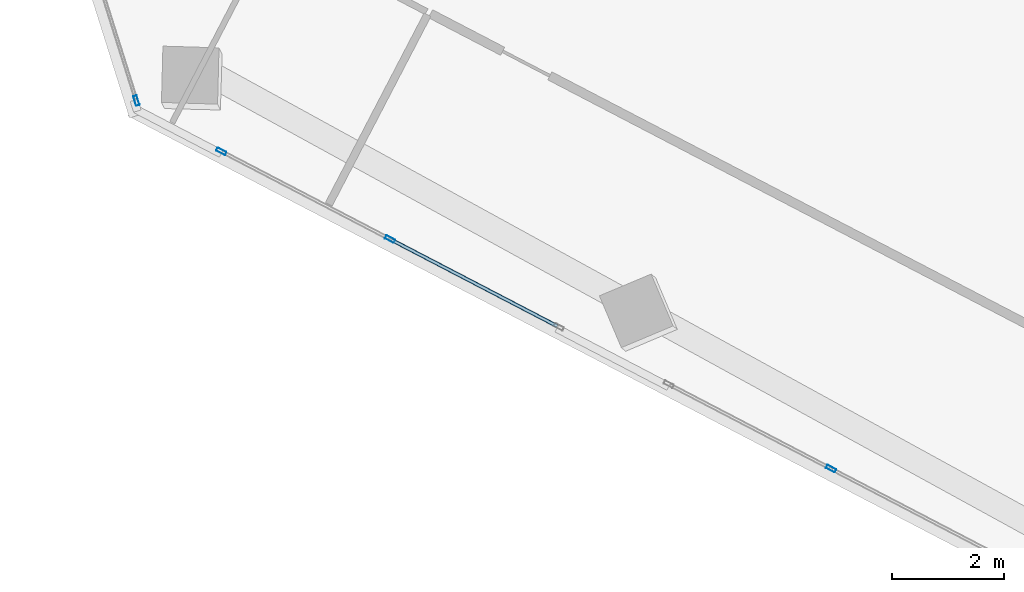
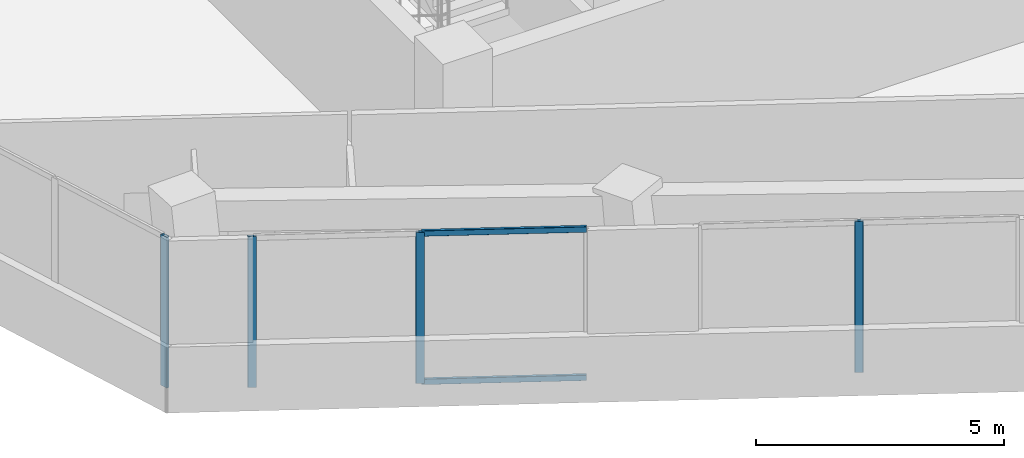
# One storey, part 2 of 22: 6 members, 3 elements without a shape of their own.
"""IFC4 building model written with IfcOpenShell, lengths in metres."""

from ifc_helpers import new_model, si_unit, direction, frame, origin, origin_2d, place, context, subcontext, project, spatial, hollow_rectangle, extrude, source, transform, mapped, material, material_profile, profile_set, type_object, element, aggregate, save


model = new_model("IFC4")

# Units and contexts
model_context = context("Model", 3, precision=1e-05, world=origin(), true_north=direction((0.0, 1.0)))
body_context = subcontext(model_context, "Body", "Model", "MODEL_VIEW")
ifc_project = project(units=[si_unit("LENGTHUNIT", "METRE"), si_unit("AREAUNIT", "SQUARE_METRE"), si_unit("VOLUMEUNIT", "CUBIC_METRE"), si_unit("PLANEANGLEUNIT", "RADIAN"), si_unit("MASSUNIT", "GRAM", prefix="KILO")], contexts=[model_context])

# Site, building, storey
site_placement = place(None, origin())
site = spatial("IfcSite", under=ifc_project, at=site_placement, CompositionType="ELEMENT")
building_placement = place(site_placement, origin())
building = spatial("IfcBuilding", under=site, at=building_placement, Name="Torre Montelarca", CompositionType="ELEMENT")
storey_placement = place(building_placement, frame((0.0, 0.0, 170.800048828125)))
storey = spatial("IfcBuildingStorey", under=building, at=storey_placement, Name="L38", CompositionType="ELEMENT", Elevation=170.800048828125)

# Curtain wall, members
ifc_material_1 = material(Name="Insulated low-E laminated glass", Category="glass")
curtain_wall_type = type_object("IfcCurtainWallType", Name="CW-SYS-Z2", PredefinedType="USERDEFINED", material=ifc_material_1)
curtain_wall_1_placement = place(storey_placement, origin())
curtain_wall_1 = element("IfcCurtainWall", 1, at=curtain_wall_1_placement, inside=storey, type_object=curtain_wall_type, Name="L38 Curtain Wall Run CW-T3-L38-E01-B1", ObjectType="UNITISED GLAZING", PredefinedType="USERDEFINED")
ifc_material_2 = material(Name="Anodised aluminium AA 6063-T6", Category="aluminium")
ifc_material_profile_1 = material_profile(ifc_material_2, hollow_rectangle(XDim=0.06494140625, YDim=0.179931640625, WallThickness=0.00390625, InnerFilletRadius=0.00390625, OuterFilletRadius=0.008056640625, at=origin_2d()), Name="ALU65X180X4", Category="aluminium")
ifc_profile_set_1 = profile_set([ifc_material_profile_1], Name="Anodised aluminium AA 6063-T6")
member_type_1 = type_object("IfcMemberType", Name="CWM-ALU180", PredefinedType="MULLION", material=ifc_profile_set_1)
shared_shape_1 = source(origin(), body_context, "Body", "SweptSolid", [
    extrude(hollow_rectangle(XDim=0.06494140625, YDim=0.179931640625, WallThickness=0.00390625, InnerFilletRadius=0.00390625, OuterFilletRadius=0.008056640625, at=origin_2d()), origin(), (0.0, 0.0, 1.0), 3.719970703125),
])
member_1_placement = place(storey_placement, frame((2.966552734375, 21.27587890625, 0.0), z_axis=(0.0, 0.0, 1.0), x_axis=(0.461740941758, 0.887014826654, 0.0)))
member_1 = element("IfcMember", 2, at=member_1_placement, type_object=member_type_1, Name="CW mullion 1", PredefinedType="MULLION", context=body_context, shape_type="MappedRepresentation", body=[
    mapped(shared_shape_1, transform((0.0, 0.0, 0.0), scale=1.0)),
])
member_2_placement = place(storey_placement, frame((5.97705078125, 19.708984375, 0.0), z_axis=(0.0, 0.0, 1.0), x_axis=(0.461740941758, 0.887014826654, 0.0)))
member_2 = element("IfcMember", 3, at=member_2_placement, type_object=member_type_1, Name="CW mullion 2", PredefinedType="MULLION", context=body_context, shape_type="MappedRepresentation", body=[
    mapped(shared_shape_1, transform((0.0, 0.0, 0.0), scale=1.0)),
])

# Curtain wall, member
curtain_wall_2_placement = place(storey_placement, origin())
curtain_wall_2 = element("IfcCurtainWall", 4, at=curtain_wall_2_placement, inside=storey, type_object=curtain_wall_type, Name="L38 Curtain Wall Run CW-T3-L38-E01-B2", ObjectType="UNITISED GLAZING", PredefinedType="USERDEFINED")
member_3_placement = place(storey_placement, frame((13.843017578125, 15.6142578125, 0.0), z_axis=(0.0, 0.0, 1.0), x_axis=(0.461749348455, 0.887010450446, 0.0)))
member_3 = element("IfcMember", 5, at=member_3_placement, type_object=member_type_1, Name="CW mullion 2", PredefinedType="MULLION", context=body_context, shape_type="MappedRepresentation", body=[
    mapped(shared_shape_1, transform((0.0, 0.0, 0.0), scale=1.0)),
])
aggregate(curtain_wall_2, [member_3])

curtain_wall_3_placement = place(storey_placement, origin())
curtain_wall_3 = element("IfcCurtainWall", 6, at=curtain_wall_3_placement, inside=storey, type_object=curtain_wall_type, Name="L38 Curtain Wall Run CW-T3-L38-E11-B1", ObjectType="UNITISED GLAZING", PredefinedType="USERDEFINED")
member_4_placement = place(storey_placement, frame((1.451904296875, 22.1796875, 0.0), z_axis=(0.0, 0.0, 1.0), x_axis=(0.953723866137, 0.300683865815, 0.0)))
member_4 = element("IfcMember", 7, at=member_4_placement, type_object=member_type_1, Name="CW mullion 3", PredefinedType="MULLION", context=body_context, shape_type="MappedRepresentation", body=[
    mapped(shared_shape_1, transform((0.0, 0.0, 0.0), scale=1.0)),
])
aggregate(curtain_wall_3, [member_4])

# Member
ifc_material_profile_2 = material_profile(ifc_material_2, hollow_rectangle(XDim=0.06494140625, YDim=0.139892578125, WallThickness=0.00390625, InnerFilletRadius=0.00390625, OuterFilletRadius=0.008056640625, at=origin_2d()), Name="ALU65X140X4", Category="aluminium")
ifc_profile_set_2 = profile_set([ifc_material_profile_2], Name="Anodised aluminium AA 6063-T6")
member_type_2 = type_object("IfcMemberType", Name="CWT-ALU140", PredefinedType="USERDEFINED", material=ifc_profile_set_2)
shared_shape_2 = source(origin(), body_context, "Body", "SweptSolid", [
    extrude(hollow_rectangle(XDim=0.06494140625, YDim=0.139892578125, WallThickness=0.00390625, InnerFilletRadius=0.00390625, OuterFilletRadius=0.008056640625, at=origin_2d()), origin(), (0.0, 0.0, 1.0), 3.3291015625),
])
member_5_placement = place(storey_placement, frame((6.005859375, 19.69384765625, 0.032470703125), z_axis=(0.887018596995, -0.461733698775, 0.0), x_axis=(0.461733698775, 0.887018596995, 0.0)))
member_5 = element("IfcMember", 8, at=member_5_placement, type_object=member_type_2, Name="CW transom 2.1", ObjectType="TRANSOM", PredefinedType="USERDEFINED", context=body_context, shape_type="MappedRepresentation", body=[
    mapped(shared_shape_2, transform((0.0, 0.0, 0.0), scale=1.0)),
])

member_6_placement = place(storey_placement, frame((6.005859375, 19.69384765625, 3.6875), z_axis=(0.887018596995, -0.461733698775, 0.0), x_axis=(0.461733698775, 0.887018596995, 0.0)))
member_6 = element("IfcMember", 9, at=member_6_placement, type_object=member_type_2, Name="CW transom 2.2", ObjectType="TRANSOM", PredefinedType="USERDEFINED", context=body_context, shape_type="MappedRepresentation", body=[
    mapped(shared_shape_2, transform((0.0, 0.0, 0.0), scale=1.0)),
])

aggregate(curtain_wall_1, [member_1, member_2, member_5, member_6])

save(model, "model.ifc")
